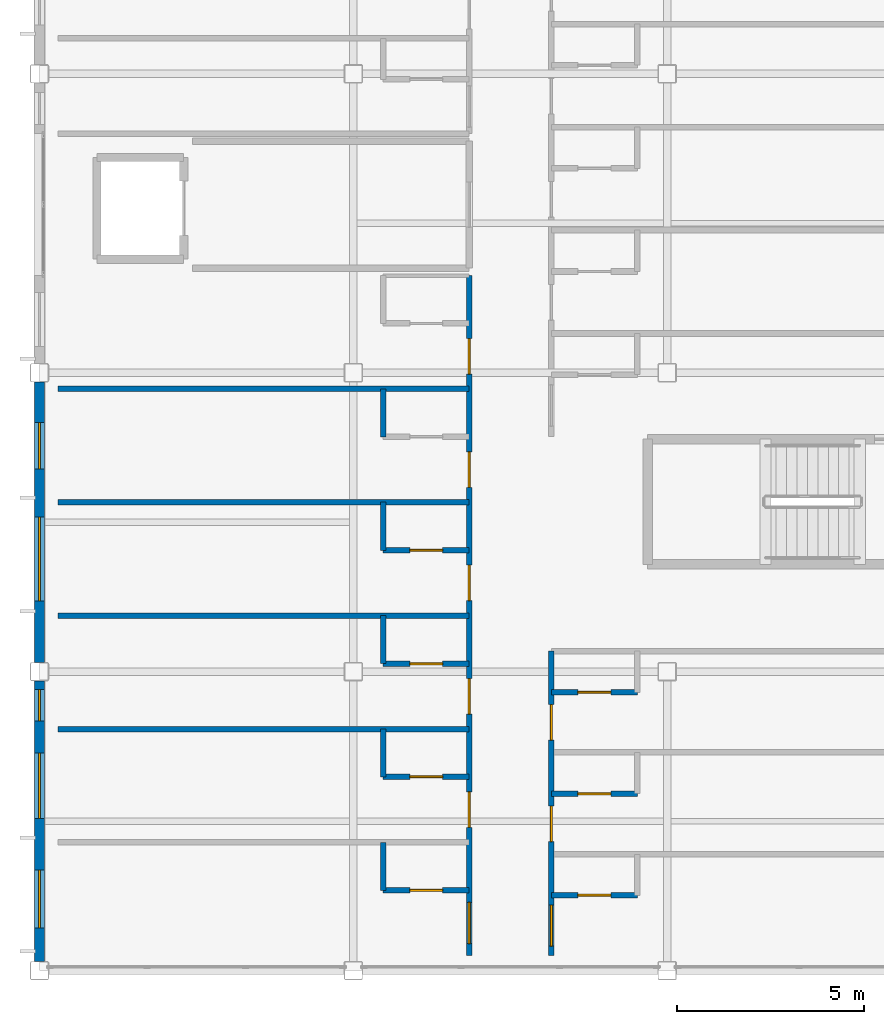
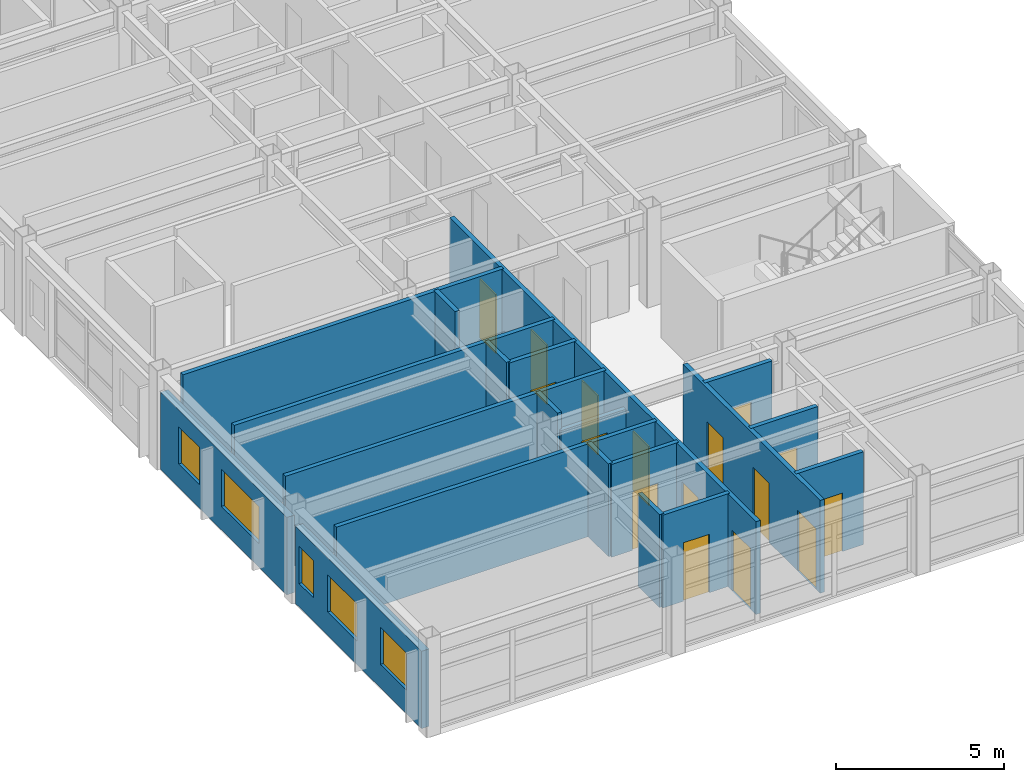
# One storey, part 23 of 35: 20 walls, 16 doors, 5 windows, 21 openings.
"""IFC4 building model written with IfcOpenShell, lengths in metres."""

from ifc_helpers import new_model, si_unit, direction, frame, frame_2d, origin, place, context, subcontext, project, spatial, rectangle, extrude, material, layer, layer_set, type_object, element, fill, save


model = new_model("IFC4")

# Units and contexts
model_context = context("Model", 3, precision=1e-05, world=origin(), true_north=direction((0.0, 1.0)))
body_context = subcontext(model_context, "Body", "Model", "MODEL_VIEW")
ifc_project = project(units=[si_unit("LENGTHUNIT", "METRE"), si_unit("AREAUNIT", "SQUARE_METRE"), si_unit("VOLUMEUNIT", "CUBIC_METRE"), si_unit("PLANEANGLEUNIT", "RADIAN"), si_unit("MASSUNIT", "GRAM", prefix="KILO")], contexts=[model_context])

# Site, building, storey
site_placement = place(None, origin())
site = spatial("IfcSite", under=ifc_project, at=site_placement, CompositionType="ELEMENT")
building_placement = place(site_placement, origin())
building = spatial("IfcBuilding", under=site, at=building_placement, Name="Kazehara Bluff Congress Hotel", CompositionType="ELEMENT")
storey_placement = place(building_placement, frame((0.0, 0.0, 35.39990234375)))
storey = spatial("IfcBuildingStorey", under=building, at=storey_placement, Name="L08", CompositionType="ELEMENT", Elevation=35.39990234375)

# Wall, openings, windows
ifc_material_1 = material(Name="Precast concrete C40/50", Category="concrete")
ifc_layer_1 = layer(ifc_material_1, 0.260009765625)
ifc_layer_set_1 = layer_set([ifc_layer_1], Name="Precast concrete C40/50")
wall_type_1 = type_object("IfcWallType", Name="TP-EW-260", PredefinedType="SOLIDWALL", material=ifc_layer_set_1)
wall_1_placement = place(storey_placement, frame((143.699951171875, 8.25, 0.0), z_axis=(0.0, 0.0, 1.0), x_axis=(0.0, 1.0, 0.0)))
wall_1 = element("IfcWall", 1, at=wall_1_placement, inside=storey, type_object=wall_type_1, Name="L08 hotel facade panel 120", PredefinedType="SOLIDWALL", context=body_context, shape_type="SweptSolid", body=[
    extrude(rectangle(XDim=7.5, YDim=0.260009765625, at=frame_2d((3.75, 0.0))), origin(), (0.0, 0.0, 1.0), 2.80517578125),
])
opening_1_placement = place(wall_1_placement, frame((0.89501953125, 0.0, 0.85009765625)))
opening_1 = element("IfcOpeningElement", 2, at=opening_1_placement, cuts=wall_1, Name="Opening WN-21", PredefinedType="OPENING", context=body_context, shape_type="SweptSolid", body=[
    extrude(rectangle(XDim=1.550048828125, YDim=1.35009765625, at=frame_2d((0.77490234375, 0.675048828125))), frame((0.0, 0.139892578125, 0.0), z_axis=(0.0, -1.0, 0.0), x_axis=(1.0, 0.0, 0.0)), (0.0, 0.0, 1.0), 0.280029296875),
])
opening_2_placement = place(wall_1_placement, frame((3.824951171875, 0.0, 0.85009765625)))
opening_2 = element("IfcOpeningElement", 3, at=opening_2_placement, cuts=wall_1, Name="Opening WN-31", PredefinedType="OPENING", context=body_context, shape_type="SweptSolid", body=[
    extrude(rectangle(XDim=1.75, YDim=1.35009765625, at=frame_2d((0.875, 0.675048828125))), frame((0.0, 0.139892578125, 0.0), z_axis=(0.0, -1.0, 0.0), x_axis=(1.0, 0.0, 0.0)), (0.0, 0.0, 1.0), 0.280029296875),
])
opening_3_placement = place(wall_1_placement, frame((6.429931640625, 0.0, 0.85009765625)))
opening_3 = element("IfcOpeningElement", 4, at=opening_3_placement, cuts=wall_1, Name="Opening WN-55", PredefinedType="OPENING", context=body_context, shape_type="SweptSolid", body=[
    extrude(rectangle(XDim=0.85009765625, YDim=1.35009765625, at=frame_2d((0.425048828125, 0.675048828125))), frame((0.0, 0.139892578125, 0.0), z_axis=(0.0, -1.0, 0.0), x_axis=(1.0, 0.0, 0.0)), (0.0, 0.0, 1.0), 0.280029296875),
])
ifc_material_2 = material(Name="Insulated low-E double glazing", Category="glass")
window_type_1 = type_object("IfcWindowType", Name="TP-WN-21", PartitioningType="SINGLE_PANEL", PredefinedType="WINDOW", material=ifc_material_2)
window_1_placement = place(opening_1_placement, origin())
window_1 = element("IfcWindow", 5, at=window_1_placement, inside=storey, type_object=window_type_1, Name="L08 guestroom window WN-21 232", OverallHeight=1.35009765625, OverallWidth=1.550048828125, PartitioningType="SINGLE_PANEL", PredefinedType="WINDOW", context=body_context, shape_type="SweptSolid", body=[
    extrude(rectangle(XDim=1.550048828125, YDim=1.35009765625, at=frame_2d((0.77490234375, 0.675048828125))), frame((0.0, 0.030029296875, 0.0), z_axis=(0.0, -1.0, 0.0), x_axis=(1.0, 0.0, 0.0)), (0.0, 0.0, 1.0), 0.06005859375),
])
fill(opening_1, window_1)
ifc_material_3 = material(Name="Insulated low-E double glazing", Category="glass")
window_type_2 = type_object("IfcWindowType", Name="TP-WN-31", PartitioningType="SINGLE_PANEL", PredefinedType="WINDOW", material=ifc_material_3)
window_2_placement = place(opening_2_placement, origin())
window_2 = element("IfcWindow", 6, at=window_2_placement, inside=storey, type_object=window_type_2, Name="L08 guestroom window WN-31 233", OverallHeight=1.35009765625, OverallWidth=1.75, PartitioningType="SINGLE_PANEL", PredefinedType="WINDOW", context=body_context, shape_type="SweptSolid", body=[
    extrude(rectangle(XDim=1.75, YDim=1.35009765625, at=frame_2d((0.875, 0.675048828125))), frame((0.0, 0.030029296875, 0.0), z_axis=(0.0, -1.0, 0.0), x_axis=(1.0, 0.0, 0.0)), (0.0, 0.0, 1.0), 0.06005859375),
])
fill(opening_2, window_2)
ifc_material_4 = material(Name="Insulated low-E double glazing", Category="glass")
window_type_3 = type_object("IfcWindowType", Name="TP-WN-55", PartitioningType="SINGLE_PANEL", PredefinedType="WINDOW", material=ifc_material_4)
window_3_placement = place(opening_3_placement, origin())
window_3 = element("IfcWindow", 7, at=window_3_placement, inside=storey, type_object=window_type_3, Name="L08 guestroom window WN-55 234", OverallHeight=1.35009765625, OverallWidth=0.85009765625, PartitioningType="SINGLE_PANEL", PredefinedType="WINDOW", context=body_context, shape_type="SweptSolid", body=[
    extrude(rectangle(XDim=0.85009765625, YDim=1.35009765625, at=frame_2d((0.425048828125, 0.675048828125))), frame((0.0, 0.030029296875, 0.0), z_axis=(0.0, -1.0, 0.0), x_axis=(1.0, 0.0, 0.0)), (0.0, 0.0, 1.0), 0.06005859375),
])
fill(opening_3, window_3)

wall_2_placement = place(storey_placement, frame((143.699951171875, 16.25, 0.0), z_axis=(0.0, 0.0, 1.0), x_axis=(0.0, 1.0, 0.0)))
wall_2 = element("IfcWall", 8, at=wall_2_placement, inside=storey, type_object=wall_type_1, Name="L08 hotel facade panel 121", PredefinedType="SOLIDWALL", context=body_context, shape_type="SweptSolid", body=[
    extrude(rectangle(XDim=7.5, YDim=0.260009765625, at=frame_2d((3.75, 0.0))), origin(), (0.0, 0.0, 1.0), 2.80517578125),
])
opening_4_placement = place(wall_2_placement, frame((1.639892578125, 0.0, 0.85009765625)))
opening_4 = element("IfcOpeningElement", 9, at=opening_4_placement, cuts=wall_2, Name="Opening WN-51", PredefinedType="OPENING", context=body_context, shape_type="SweptSolid", body=[
    extrude(rectangle(XDim=2.25, YDim=1.35009765625, at=frame_2d((1.125, 0.675048828125))), frame((0.0, 0.139892578125, 0.0), z_axis=(0.0, -1.0, 0.0), x_axis=(1.0, 0.0, 0.0)), (0.0, 0.0, 1.0), 0.280029296875),
])
opening_5_placement = place(wall_2_placement, frame((5.175048828125, 0.0, 0.85009765625)))
opening_5 = element("IfcOpeningElement", 10, at=opening_5_placement, cuts=wall_2, Name="Opening WN-06", PredefinedType="OPENING", context=body_context, shape_type="SweptSolid", body=[
    extrude(rectangle(XDim=1.25, YDim=1.35009765625, at=frame_2d((0.625, 0.675048828125))), frame((0.0, 0.139892578125, 0.0), z_axis=(0.0, -1.0, 0.0), x_axis=(1.0, 0.0, 0.0)), (0.0, 0.0, 1.0), 0.280029296875),
])
ifc_material_5 = material(Name="Insulated low-E double glazing", Category="glass")
window_type_4 = type_object("IfcWindowType", Name="TP-WN-06", PartitioningType="SINGLE_PANEL", PredefinedType="WINDOW", material=ifc_material_5)
window_4_placement = place(opening_5_placement, origin())
window_4 = element("IfcWindow", 11, at=window_4_placement, inside=storey, type_object=window_type_4, Name="L08 guestroom window WN-06 236", OverallHeight=1.35009765625, OverallWidth=1.25, PartitioningType="SINGLE_PANEL", PredefinedType="WINDOW", context=body_context, shape_type="SweptSolid", body=[
    extrude(rectangle(XDim=1.25, YDim=1.35009765625, at=frame_2d((0.625, 0.675048828125))), frame((0.0, 0.030029296875, 0.0), z_axis=(0.0, -1.0, 0.0), x_axis=(1.0, 0.0, 0.0)), (0.0, 0.0, 1.0), 0.06005859375),
])
fill(opening_5, window_4)
ifc_material_6 = material(Name="Insulated low-E double glazing", Category="glass")
window_type_5 = type_object("IfcWindowType", Name="TP-WN-51", PartitioningType="DOUBLE_PANEL_VERTICAL", PredefinedType="WINDOW", material=ifc_material_6)
window_5_placement = place(opening_4_placement, origin())
window_5 = element("IfcWindow", 12, at=window_5_placement, inside=storey, type_object=window_type_5, Name="L08 guestroom window WN-51 235", OverallHeight=1.35009765625, OverallWidth=2.25, PartitioningType="SINGLE_PANEL", PredefinedType="WINDOW", context=body_context, shape_type="SweptSolid", body=[
    extrude(rectangle(XDim=2.25, YDim=1.35009765625, at=frame_2d((1.125, 0.675048828125))), frame((0.0, 0.030029296875, 0.0), z_axis=(0.0, -1.0, 0.0), x_axis=(1.0, 0.0, 0.0)), (0.0, 0.0, 1.0), 0.06005859375),
])
fill(opening_4, window_5)

# Wall, opening, door
ifc_material_7 = material(Name="Fire-rated gypsum board stud partition")
ifc_layer_2 = layer(ifc_material_7, 0.14990234375)
ifc_layer_set_2 = layer_set([ifc_layer_2], Name="Fire-rated gypsum board stud partition")
wall_type_2 = type_object("IfcWallType", Name="TP-PT-150", PredefinedType="PARTITIONING", material=ifc_layer_set_2)
wall_3_placement = place(storey_placement, frame((157.39990234375, 10.02001953125, 0.0), z_axis=(0.0, 0.0, 1.0), x_axis=(1.0, 0.0, 0.0)))
wall_3 = element("IfcWall", 13, at=wall_3_placement, inside=storey, type_object=wall_type_2, Name="L08 partition PT-150 1011", PredefinedType="PARTITIONING", context=body_context, shape_type="SweptSolid", body=[
    extrude(rectangle(XDim=2.300048828125, YDim=0.14990234375, at=frame_2d((1.14990234375, 0.0))), origin(), (0.0, 0.0, 1.0), 3.364990234375),
])
opening_6_placement = place(wall_3_placement, frame((0.7099609375, 0.0, 0.0)))
opening_6 = element("IfcOpeningElement", 14, at=opening_6_placement, cuts=wall_3, Name="Opening BD-02", PredefinedType="OPENING", context=body_context, shape_type="SweptSolid", body=[
    extrude(rectangle(XDim=0.8798828125, YDim=2.1201171875, at=frame_2d((0.43994140625, 1.06005859375))), frame((0.0, 0.0849609375, 0.0), z_axis=(0.0, -1.0, 0.0), x_axis=(1.0, 0.0, 0.0)), (0.0, 0.0, 1.0), 0.169921875),
])
ifc_material_8 = material(Name="Architectural oak veneer leaf")
door_type_1 = type_object("IfcDoorType", Name="TP-BD-02", OperationType="NOTDEFINED", PredefinedType="DOOR", material=ifc_material_8)
door_1_placement = place(opening_6_placement, origin())
door_1 = element("IfcDoor", 15, at=door_1_placement, inside=storey, type_object=door_type_1, Name="L08 En-suite Bathroom 230 door", OperationType="SINGLE_SWING_LEFT", OverallHeight=2.1201171875, OverallWidth=0.8798828125, PredefinedType="DOOR", context=body_context, shape_type="SweptSolid", body=[
    extrude(rectangle(XDim=0.8798828125, YDim=2.1201171875, at=frame_2d((0.43994140625, 1.06005859375))), frame((0.0, 0.02490234375, 0.0), z_axis=(0.0, -1.0, 0.0), x_axis=(1.0, 0.0, 0.0)), (0.0, 0.0, 1.0), 0.050048828125),
])
fill(opening_6, door_1)

wall_4_placement = place(storey_placement, frame((152.89990234375, 10.14990234375, 0.0), z_axis=(0.0, 0.0, 1.0), x_axis=(1.0, 0.0, 0.0)))
wall_4 = element("IfcWall", 16, at=wall_4_placement, inside=storey, type_object=wall_type_2, Name="L08 partition PT-150 1012", PredefinedType="PARTITIONING", context=body_context, shape_type="SweptSolid", body=[
    extrude(rectangle(XDim=2.300048828125, YDim=0.14990234375, at=frame_2d((1.14990234375, 0.0))), origin(), (0.0, 0.0, 1.0), 3.364990234375),
])
opening_7_placement = place(wall_4_placement, frame((0.7099609375, 0.0, 0.0)))
opening_7 = element("IfcOpeningElement", 17, at=opening_7_placement, cuts=wall_4, Name="Opening BD-02", PredefinedType="OPENING", context=body_context, shape_type="SweptSolid", body=[
    extrude(rectangle(XDim=0.8798828125, YDim=2.1201171875, at=frame_2d((0.43994140625, 1.06005859375))), frame((0.0, 0.0849609375, 0.0), z_axis=(0.0, -1.0, 0.0), x_axis=(1.0, 0.0, 0.0)), (0.0, 0.0, 1.0), 0.169921875),
])
door_2_placement = place(opening_7_placement, origin())
door_2 = element("IfcDoor", 18, at=door_2_placement, inside=storey, type_object=door_type_1, Name="L08 En-suite Bathroom 209 door", OperationType="SINGLE_SWING_LEFT", OverallHeight=2.1201171875, OverallWidth=0.8798828125, PredefinedType="DOOR", context=body_context, shape_type="SweptSolid", body=[
    extrude(rectangle(XDim=0.8798828125, YDim=2.1201171875, at=frame_2d((0.43994140625, 1.06005859375))), frame((0.0, 0.02490234375, 0.0), z_axis=(0.0, -1.0, 0.0), x_axis=(1.0, 0.0, 0.0)), (0.0, 0.0, 1.0), 0.050048828125),
])
fill(opening_7, door_2)

wall_5_placement = place(storey_placement, frame((157.39990234375, 12.72998046875, 0.0), z_axis=(0.0, 0.0, 1.0), x_axis=(1.0, 0.0, 0.0)))
wall_5 = element("IfcWall", 19, at=wall_5_placement, inside=storey, type_object=wall_type_2, Name="L08 partition PT-150 1015", PredefinedType="PARTITIONING", context=body_context, shape_type="SweptSolid", body=[
    extrude(rectangle(XDim=2.300048828125, YDim=0.14990234375, at=frame_2d((1.14990234375, 0.0))), origin(), (0.0, 0.0, 1.0), 3.364990234375),
])
opening_8_placement = place(wall_5_placement, frame((0.7099609375, 0.0, 0.0)))
opening_8 = element("IfcOpeningElement", 20, at=opening_8_placement, cuts=wall_5, Name="Opening BD-02", PredefinedType="OPENING", context=body_context, shape_type="SweptSolid", body=[
    extrude(rectangle(XDim=0.8798828125, YDim=2.1201171875, at=frame_2d((0.43994140625, 1.06005859375))), frame((0.0, 0.0849609375, 0.0), z_axis=(0.0, -1.0, 0.0), x_axis=(1.0, 0.0, 0.0)), (0.0, 0.0, 1.0), 0.169921875),
])
door_3_placement = place(opening_8_placement, origin())
door_3 = element("IfcDoor", 21, at=door_3_placement, inside=storey, type_object=door_type_1, Name="L08 En-suite Bathroom 231 door", OperationType="SINGLE_SWING_LEFT", OverallHeight=2.1201171875, OverallWidth=0.8798828125, PredefinedType="DOOR", context=body_context, shape_type="SweptSolid", body=[
    extrude(rectangle(XDim=0.8798828125, YDim=2.1201171875, at=frame_2d((0.43994140625, 1.06005859375))), frame((0.0, 0.02490234375, 0.0), z_axis=(0.0, -1.0, 0.0), x_axis=(1.0, 0.0, 0.0)), (0.0, 0.0, 1.0), 0.050048828125),
])
fill(opening_8, door_3)

wall_6_placement = place(storey_placement, frame((152.89990234375, 13.18994140625, 0.0), z_axis=(0.0, 0.0, 1.0), x_axis=(1.0, 0.0, 0.0)))
wall_6 = element("IfcWall", 22, at=wall_6_placement, inside=storey, type_object=wall_type_2, Name="L08 partition PT-150 1016", PredefinedType="PARTITIONING", context=body_context, shape_type="SweptSolid", body=[
    extrude(rectangle(XDim=2.300048828125, YDim=0.14990234375, at=frame_2d((1.14990234375, 0.0))), origin(), (0.0, 0.0, 1.0), 3.364990234375),
])
opening_9_placement = place(wall_6_placement, frame((0.7099609375, 0.0, 0.0)))
opening_9 = element("IfcOpeningElement", 23, at=opening_9_placement, cuts=wall_6, Name="Opening BD-02", PredefinedType="OPENING", context=body_context, shape_type="SweptSolid", body=[
    extrude(rectangle(XDim=0.8798828125, YDim=2.1201171875, at=frame_2d((0.43994140625, 1.06005859375))), frame((0.0, 0.0849609375, 0.0), z_axis=(0.0, -1.0, 0.0), x_axis=(1.0, 0.0, 0.0)), (0.0, 0.0, 1.0), 0.169921875),
])
door_4_placement = place(opening_9_placement, origin())
door_4 = element("IfcDoor", 24, at=door_4_placement, inside=storey, type_object=door_type_1, Name="L08 En-suite Bathroom 210 door", OperationType="SINGLE_SWING_LEFT", OverallHeight=2.1201171875, OverallWidth=0.8798828125, PredefinedType="DOOR", context=body_context, shape_type="SweptSolid", body=[
    extrude(rectangle(XDim=0.8798828125, YDim=2.1201171875, at=frame_2d((0.43994140625, 1.06005859375))), frame((0.0, 0.02490234375, 0.0), z_axis=(0.0, -1.0, 0.0), x_axis=(1.0, 0.0, 0.0)), (0.0, 0.0, 1.0), 0.050048828125),
])
fill(opening_9, door_4)

# Wall
wall_7_placement = place(storey_placement, frame((144.199951171875, 14.4599609375, 0.0), z_axis=(0.0, 0.0, 1.0), x_axis=(1.0, 0.0, 0.0)))
element("IfcWall", 25, at=wall_7_placement, inside=storey, type_object=wall_type_2, Name="L08 partition PT-150 1018", PredefinedType="PARTITIONING", context=body_context, shape_type="SweptSolid", body=[
    extrude(rectangle(XDim=11.0, YDim=0.14990234375, at=frame_2d((5.5, 0.0))), origin(), (0.0, 0.0, 1.0), 3.364990234375),
])

# Wall, opening, door
wall_8_placement = place(storey_placement, frame((157.39990234375, 15.449951171875, 0.0), z_axis=(0.0, 0.0, 1.0), x_axis=(1.0, 0.0, 0.0)))
wall_8 = element("IfcWall", 26, at=wall_8_placement, inside=storey, type_object=wall_type_2, Name="L08 partition PT-150 1019", PredefinedType="PARTITIONING", context=body_context, shape_type="SweptSolid", body=[
    extrude(rectangle(XDim=2.300048828125, YDim=0.14990234375, at=frame_2d((1.14990234375, 0.0))), origin(), (0.0, 0.0, 1.0), 3.364990234375),
])
opening_10_placement = place(wall_8_placement, frame((0.7099609375, 0.0, 0.0)))
opening_10 = element("IfcOpeningElement", 27, at=opening_10_placement, cuts=wall_8, Name="Opening BD-02", PredefinedType="OPENING", context=body_context, shape_type="SweptSolid", body=[
    extrude(rectangle(XDim=0.8798828125, YDim=2.1201171875, at=frame_2d((0.43994140625, 1.06005859375))), frame((0.0, 0.0849609375, 0.0), z_axis=(0.0, -1.0, 0.0), x_axis=(1.0, 0.0, 0.0)), (0.0, 0.0, 1.0), 0.169921875),
])
door_5_placement = place(opening_10_placement, origin())
door_5 = element("IfcDoor", 28, at=door_5_placement, inside=storey, type_object=door_type_1, Name="L08 En-suite Bathroom 232 door", OperationType="SINGLE_SWING_LEFT", OverallHeight=2.1201171875, OverallWidth=0.8798828125, PredefinedType="DOOR", context=body_context, shape_type="SweptSolid", body=[
    extrude(rectangle(XDim=0.8798828125, YDim=2.1201171875, at=frame_2d((0.43994140625, 1.06005859375))), frame((0.0, 0.02490234375, 0.0), z_axis=(0.0, -1.0, 0.0), x_axis=(1.0, 0.0, 0.0)), (0.0, 0.0, 1.0), 0.050048828125),
])
fill(opening_10, door_5)

wall_9_placement = place(storey_placement, frame((152.89990234375, 16.2099609375, 0.0), z_axis=(0.0, 0.0, 1.0), x_axis=(1.0, 0.0, 0.0)))
wall_9 = element("IfcWall", 29, at=wall_9_placement, inside=storey, type_object=wall_type_2, Name="L08 partition PT-150 1020", PredefinedType="PARTITIONING", context=body_context, shape_type="SweptSolid", body=[
    extrude(rectangle(XDim=2.300048828125, YDim=0.14990234375, at=frame_2d((1.14990234375, 0.0))), origin(), (0.0, 0.0, 1.0), 2.755126953125),
])
opening_11_placement = place(wall_9_placement, frame((0.7099609375, 0.0, 0.0)))
opening_11 = element("IfcOpeningElement", 30, at=opening_11_placement, cuts=wall_9, Name="Opening BD-02", PredefinedType="OPENING", context=body_context, shape_type="SweptSolid", body=[
    extrude(rectangle(XDim=0.8798828125, YDim=2.1201171875, at=frame_2d((0.43994140625, 1.06005859375))), frame((0.0, 0.0849609375, 0.0), z_axis=(0.0, -1.0, 0.0), x_axis=(1.0, 0.0, 0.0)), (0.0, 0.0, 1.0), 0.169921875),
])
door_6_placement = place(opening_11_placement, origin())
door_6 = element("IfcDoor", 31, at=door_6_placement, inside=storey, type_object=door_type_1, Name="L08 En-suite Bathroom 211 door", OperationType="SINGLE_SWING_LEFT", OverallHeight=2.1201171875, OverallWidth=0.8798828125, PredefinedType="DOOR", context=body_context, shape_type="SweptSolid", body=[
    extrude(rectangle(XDim=0.8798828125, YDim=2.1201171875, at=frame_2d((0.43994140625, 1.06005859375))), frame((0.0, 0.02490234375, 0.0), z_axis=(0.0, -1.0, 0.0), x_axis=(1.0, 0.0, 0.0)), (0.0, 0.0, 1.0), 0.050048828125),
])
fill(opening_11, door_6)

# Wall
wall_10_placement = place(storey_placement, frame((144.199951171875, 17.5, 0.0), z_axis=(0.0, 0.0, 1.0), x_axis=(1.0, 0.0, 0.0)))
element("IfcWall", 32, at=wall_10_placement, inside=storey, type_object=wall_type_2, Name="L08 partition PT-150 1022", PredefinedType="PARTITIONING", context=body_context, shape_type="SweptSolid", body=[
    extrude(rectangle(XDim=11.0, YDim=0.14990234375, at=frame_2d((5.5, 0.0))), origin(), (0.0, 0.0, 1.0), 3.364990234375),
])

# Wall, opening, door
wall_11_placement = place(storey_placement, frame((152.89990234375, 19.25, 0.0), z_axis=(0.0, 0.0, 1.0), x_axis=(1.0, 0.0, 0.0)))
wall_11 = element("IfcWall", 33, at=wall_11_placement, inside=storey, type_object=wall_type_2, Name="L08 partition PT-150 1023", PredefinedType="PARTITIONING", context=body_context, shape_type="SweptSolid", body=[
    extrude(rectangle(XDim=2.300048828125, YDim=0.14990234375, at=frame_2d((1.14990234375, 0.0))), origin(), (0.0, 0.0, 1.0), 3.364990234375),
])
opening_12_placement = place(wall_11_placement, frame((0.7099609375, 0.0, 0.0)))
opening_12 = element("IfcOpeningElement", 34, at=opening_12_placement, cuts=wall_11, Name="Opening BD-02", PredefinedType="OPENING", context=body_context, shape_type="SweptSolid", body=[
    extrude(rectangle(XDim=0.8798828125, YDim=2.1201171875, at=frame_2d((0.43994140625, 1.06005859375))), frame((0.0, 0.0849609375, 0.0), z_axis=(0.0, -1.0, 0.0), x_axis=(1.0, 0.0, 0.0)), (0.0, 0.0, 1.0), 0.169921875),
])
door_7_placement = place(opening_12_placement, origin())
door_7 = element("IfcDoor", 35, at=door_7_placement, inside=storey, type_object=door_type_1, Name="L08 En-suite Bathroom 212 door", OperationType="SINGLE_SWING_LEFT", OverallHeight=2.1201171875, OverallWidth=0.8798828125, PredefinedType="DOOR", context=body_context, shape_type="SweptSolid", body=[
    extrude(rectangle(XDim=0.8798828125, YDim=2.1201171875, at=frame_2d((0.43994140625, 1.06005859375))), frame((0.0, 0.02490234375, 0.0), z_axis=(0.0, -1.0, 0.0), x_axis=(1.0, 0.0, 0.0)), (0.0, 0.0, 1.0), 0.050048828125),
])
fill(opening_12, door_7)

# Walls
for number, where, z_axis, x_axis, name in (
    (36, (144.199951171875, 20.5400390625, 0.0), (0.0, 0.0, 1.0), (1.0, 0.0, 0.0), "L08 partition PT-150 1024"),
    (37, (144.199951171875, 23.570068359375, 0.0), (0.0, 0.0, 1.0), (1.0, 0.0, 0.0), "L08 partition PT-150 1026"),
):
    element("IfcWall", number, at=place(storey_placement, frame(where, z_axis=z_axis, x_axis=x_axis)), inside=storey, type_object=wall_type_2, Name=name, PredefinedType="PARTITIONING", context=body_context, shape_type="SweptSolid", body=[
        extrude(rectangle(XDim=11.0, YDim=0.14990234375, at=frame_2d((5.5, 0.0))), origin(), (0.0, 0.0, 1.0), 3.364990234375),
    ])
wall_12_placement = place(storey_placement, frame((152.89990234375, 10.14990234375, 0.0), z_axis=(0.0, 0.0, 1.0), x_axis=(0.0, 1.0, 0.0)))
element("IfcWall", 38, at=wall_12_placement, inside=storey, type_object=wall_type_2, Name="L08 partition PT-150 1111", PredefinedType="PARTITIONING", context=body_context, shape_type="SweptSolid", body=[
    extrude(rectangle(XDim=1.28515625, YDim=0.14990234375, at=frame_2d((0.642578125, 0.0))), origin(), (0.0, 0.0, 1.0), 3.364990234375),
])
wall_13_placement = place(storey_placement, frame((152.89990234375, 13.18505859375, 0.0), z_axis=(0.0, 0.0, 1.0), x_axis=(0.0, 1.0, 0.0)))
element("IfcWall", 39, at=wall_13_placement, inside=storey, type_object=wall_type_2, Name="L08 partition PT-150 1112", PredefinedType="PARTITIONING", context=body_context, shape_type="SweptSolid", body=[
    extrude(rectangle(XDim=1.280029296875, YDim=0.14990234375, at=frame_2d((0.64013671875, 0.0))), origin(), (0.0, 0.0, 1.0), 3.364990234375),
])
for number, where, z_axis, x_axis, name in (
    (40, (152.89990234375, 16.215087890625, 0.0), (0.0, 0.0, 1.0), (0.0, 1.0, 0.0), "L08 partition PT-150 1113"),
    (41, (152.89990234375, 19.25, 0.0), (0.0, 0.0, 1.0), (0.0, 1.0, 0.0), "L08 partition PT-150 1114"),
):
    element("IfcWall", number, at=place(storey_placement, frame(where, z_axis=z_axis, x_axis=x_axis)), inside=storey, type_object=wall_type_2, Name=name, PredefinedType="PARTITIONING", context=body_context, shape_type="SweptSolid", body=[
        extrude(rectangle(XDim=1.284912109375, YDim=0.14990234375, at=frame_2d((0.642578125, 0.0))), origin(), (0.0, 0.0, 1.0), 3.364990234375),
    ])
wall_14_placement = place(storey_placement, frame((152.89990234375, 22.284912109375, 0.0), z_axis=(0.0, 0.0, 1.0), x_axis=(0.0, 1.0, 0.0)))
element("IfcWall", 42, at=wall_14_placement, inside=storey, type_object=wall_type_2, Name="L08 partition PT-150 1115", PredefinedType="PARTITIONING", context=body_context, shape_type="SweptSolid", body=[
    extrude(rectangle(XDim=1.280029296875, YDim=0.14990234375, at=frame_2d((0.64013671875, 0.0))), origin(), (0.0, 0.0, 1.0), 3.364990234375),
])

# Wall, openings, doors
wall_15_placement = place(storey_placement, frame((155.199951171875, 8.39990234375, 0.0), z_axis=(0.0, 0.0, 1.0), x_axis=(0.0, 1.0, 0.0)))
wall_15 = element("IfcWall", 43, at=wall_15_placement, inside=storey, type_object=wall_type_2, Name="L08 partition PT-150 1132", PredefinedType="PARTITIONING", context=body_context, shape_type="SweptSolid", body=[
    extrude(rectangle(XDim=18.2001953125, YDim=0.14990234375, at=frame_2d((9.10009765625, 0.0))), origin(), (0.0, 0.0, 1.0), 3.364990234375),
])
opening_13_placement = place(wall_15_placement, frame((0.324951171875, 0.0, 0.0)))
opening_13 = element("IfcOpeningElement", 44, at=opening_13_placement, cuts=wall_15, Name="Opening GD-02", PredefinedType="OPENING", context=body_context, shape_type="SweptSolid", body=[
    extrude(rectangle(XDim=1.10009765625, YDim=2.199951171875, at=frame_2d((0.550048828125, 1.10009765625))), frame((0.0, 0.0849609375, 0.0), z_axis=(0.0, -1.0, 0.0), x_axis=(1.0, 0.0, 0.0)), (0.0, 0.0, 1.0), 0.169921875),
])
opening_14_placement = place(wall_15_placement, frame((3.43505859375, 0.0, 0.0)))
opening_14 = element("IfcOpeningElement", 45, at=opening_14_placement, cuts=wall_15, Name="Opening GD-01", PredefinedType="OPENING", context=body_context, shape_type="SweptSolid", body=[
    extrude(rectangle(XDim=0.949951171875, YDim=2.14990234375, at=frame_2d((0.47509765625, 1.074951171875))), frame((0.0, 0.0849609375, 0.0), z_axis=(0.0, -1.0, 0.0), x_axis=(1.0, 0.0, 0.0)), (0.0, 0.0, 1.0), 0.169921875),
])
opening_15_placement = place(wall_15_placement, frame((6.465087890625, 0.0, 0.0)))
opening_15 = element("IfcOpeningElement", 46, at=opening_15_placement, cuts=wall_15, Name="Opening GD-01", PredefinedType="OPENING", context=body_context, shape_type="SweptSolid", body=[
    extrude(rectangle(XDim=0.949951171875, YDim=2.14990234375, at=frame_2d((0.47509765625, 1.074951171875))), frame((0.0, 0.0849609375, 0.0), z_axis=(0.0, -1.0, 0.0), x_axis=(1.0, 0.0, 0.0)), (0.0, 0.0, 1.0), 0.169921875),
])
opening_16_placement = place(wall_15_placement, frame((9.5, 0.0, 0.0)))
opening_16 = element("IfcOpeningElement", 47, at=opening_16_placement, cuts=wall_15, Name="Opening GD-01", PredefinedType="OPENING", context=body_context, shape_type="SweptSolid", body=[
    extrude(rectangle(XDim=0.949951171875, YDim=2.14990234375, at=frame_2d((0.47509765625, 1.074951171875))), frame((0.0, 0.0849609375, 0.0), z_axis=(0.0, -1.0, 0.0), x_axis=(1.0, 0.0, 0.0)), (0.0, 0.0, 1.0), 0.169921875),
])
opening_17_placement = place(wall_15_placement, frame((12.534912109375, 0.0, 0.0)))
opening_17 = element("IfcOpeningElement", 48, at=opening_17_placement, cuts=wall_15, Name="Opening GD-01", PredefinedType="OPENING", context=body_context, shape_type="SweptSolid", body=[
    extrude(rectangle(XDim=0.949951171875, YDim=2.14990234375, at=frame_2d((0.47509765625, 1.074951171875))), frame((0.0, 0.0849609375, 0.0), z_axis=(0.0, -1.0, 0.0), x_axis=(1.0, 0.0, 0.0)), (0.0, 0.0, 1.0), 0.169921875),
])
opening_18_placement = place(wall_15_placement, frame((15.56494140625, 0.0, 0.0)))
opening_18 = element("IfcOpeningElement", 49, at=opening_18_placement, cuts=wall_15, Name="Opening GD-01", PredefinedType="OPENING", context=body_context, shape_type="SweptSolid", body=[
    extrude(rectangle(XDim=0.949951171875, YDim=2.14990234375, at=frame_2d((0.47509765625, 1.074951171875))), frame((0.0, 0.0849609375, 0.0), z_axis=(0.0, -1.0, 0.0), x_axis=(1.0, 0.0, 0.0)), (0.0, 0.0, 1.0), 0.169921875),
])
ifc_material_9 = material(Name="Architectural oak veneer leaf")
door_type_2 = type_object("IfcDoorType", Name="TP-GD-01", OperationType="NOTDEFINED", PredefinedType="DOOR", material=ifc_material_9)
door_8_placement = place(opening_14_placement, origin())
door_8 = element("IfcDoor", 50, at=door_8_placement, inside=storey, type_object=door_type_2, Name="L08 Deluxe Twin Guest Room 210 door", OperationType="SINGLE_SWING_RIGHT", OverallHeight=2.14990234375, OverallWidth=0.949951171875, PredefinedType="DOOR", context=body_context, shape_type="SweptSolid", body=[
    extrude(rectangle(XDim=0.949951171875, YDim=2.14990234375, at=frame_2d((0.47509765625, 1.074951171875))), frame((0.0, 0.02490234375, 0.0), z_axis=(0.0, -1.0, 0.0), x_axis=(1.0, 0.0, 0.0)), (0.0, 0.0, 1.0), 0.050048828125),
])
fill(opening_14, door_8)
door_9_placement = place(opening_15_placement, origin())
door_9 = element("IfcDoor", 51, at=door_9_placement, inside=storey, type_object=door_type_2, Name="L08 Standard King Guest Room 211 door", OperationType="SINGLE_SWING_RIGHT", OverallHeight=2.14990234375, OverallWidth=0.949951171875, PredefinedType="DOOR", context=body_context, shape_type="SweptSolid", body=[
    extrude(rectangle(XDim=0.949951171875, YDim=2.14990234375, at=frame_2d((0.47509765625, 1.074951171875))), frame((0.0, 0.02490234375, 0.0), z_axis=(0.0, -1.0, 0.0), x_axis=(1.0, 0.0, 0.0)), (0.0, 0.0, 1.0), 0.050048828125),
])
fill(opening_15, door_9)
door_10_placement = place(opening_16_placement, origin())
door_10 = element("IfcDoor", 52, at=door_10_placement, inside=storey, type_object=door_type_2, Name="L08 Deluxe Twin Guest Room 212 door", OperationType="SINGLE_SWING_RIGHT", OverallHeight=2.14990234375, OverallWidth=0.949951171875, PredefinedType="DOOR", context=body_context, shape_type="SweptSolid", body=[
    extrude(rectangle(XDim=0.949951171875, YDim=2.14990234375, at=frame_2d((0.47509765625, 1.074951171875))), frame((0.0, 0.02490234375, 0.0), z_axis=(0.0, -1.0, 0.0), x_axis=(1.0, 0.0, 0.0)), (0.0, 0.0, 1.0), 0.050048828125),
])
fill(opening_16, door_10)
door_11_placement = place(opening_17_placement, origin())
door_11 = element("IfcDoor", 53, at=door_11_placement, inside=storey, type_object=door_type_2, Name="L08 Standard King Guest Room 213 door", OperationType="SINGLE_SWING_RIGHT", OverallHeight=2.14990234375, OverallWidth=0.949951171875, PredefinedType="DOOR", context=body_context, shape_type="SweptSolid", body=[
    extrude(rectangle(XDim=0.949951171875, YDim=2.14990234375, at=frame_2d((0.47509765625, 1.074951171875))), frame((0.0, 0.02490234375, 0.0), z_axis=(0.0, -1.0, 0.0), x_axis=(1.0, 0.0, 0.0)), (0.0, 0.0, 1.0), 0.050048828125),
])
fill(opening_17, door_11)
door_12_placement = place(opening_18_placement, origin())
door_12 = element("IfcDoor", 54, at=door_12_placement, inside=storey, type_object=door_type_2, Name="L08 Deluxe Twin Guest Room 214 door", OperationType="SINGLE_SWING_RIGHT", OverallHeight=2.14990234375, OverallWidth=0.949951171875, PredefinedType="DOOR", context=body_context, shape_type="SweptSolid", body=[
    extrude(rectangle(XDim=0.949951171875, YDim=2.14990234375, at=frame_2d((0.47509765625, 1.074951171875))), frame((0.0, 0.02490234375, 0.0), z_axis=(0.0, -1.0, 0.0), x_axis=(1.0, 0.0, 0.0)), (0.0, 0.0, 1.0), 0.050048828125),
])
fill(opening_18, door_12)
ifc_material_10 = material(Name="Architectural oak veneer leaf")
door_type_3 = type_object("IfcDoorType", Name="TP-GD-02", OperationType="NOTDEFINED", PredefinedType="DOOR", material=ifc_material_10)
door_13_placement = place(opening_13_placement, origin())
door_13 = element("IfcDoor", 55, at=door_13_placement, inside=storey, type_object=door_type_3, Name="L08 Accessible Suite 209 door", OperationType="SINGLE_SWING_RIGHT", OverallHeight=2.199951171875, OverallWidth=1.10009765625, PredefinedType="DOOR", context=body_context, shape_type="SweptSolid", body=[
    extrude(rectangle(XDim=1.10009765625, YDim=2.199951171875, at=frame_2d((0.550048828125, 1.10009765625))), frame((0.0, 0.02490234375, 0.0), z_axis=(0.0, -1.0, 0.0), x_axis=(1.0, 0.0, 0.0)), (0.0, 0.0, 1.0), 0.050048828125),
])
fill(opening_13, door_13)

wall_16_placement = place(storey_placement, frame((157.39990234375, 8.39990234375, 0.0), z_axis=(0.0, 0.0, 1.0), x_axis=(0.0, 1.0, 0.0)))
wall_16 = element("IfcWall", 56, at=wall_16_placement, inside=storey, type_object=wall_type_2, Name="L08 partition PT-150 1139", PredefinedType="PARTITIONING", context=body_context, shape_type="SweptSolid", body=[
    extrude(rectangle(XDim=8.150146484375, YDim=0.14990234375, at=frame_2d((4.0751953125, 0.0))), origin(), (0.0, 0.0, 1.0), 3.364990234375),
])
opening_19_placement = place(wall_16_placement, frame((0.2548828125, 0.0, 0.0)))
opening_19 = element("IfcOpeningElement", 57, at=opening_19_placement, cuts=wall_16, Name="Opening GD-02", PredefinedType="OPENING", context=body_context, shape_type="SweptSolid", body=[
    extrude(rectangle(XDim=1.10009765625, YDim=2.199951171875, at=frame_2d((0.550048828125, 1.10009765625))), frame((0.0, 0.0849609375, 0.0), z_axis=(0.0, -1.0, 0.0), x_axis=(1.0, 0.0, 0.0)), (0.0, 0.0, 1.0), 0.169921875),
])
opening_20_placement = place(wall_16_placement, frame((3.050048828125, 0.0, 0.0)))
opening_20 = element("IfcOpeningElement", 58, at=opening_20_placement, cuts=wall_16, Name="Opening GD-01", PredefinedType="OPENING", context=body_context, shape_type="SweptSolid", body=[
    extrude(rectangle(XDim=0.949951171875, YDim=2.14990234375, at=frame_2d((0.47509765625, 1.074951171875))), frame((0.0, 0.0849609375, 0.0), z_axis=(0.0, -1.0, 0.0), x_axis=(1.0, 0.0, 0.0)), (0.0, 0.0, 1.0), 0.169921875),
])
opening_21_placement = place(wall_16_placement, frame((5.77001953125, 0.0, 0.0)))
opening_21 = element("IfcOpeningElement", 59, at=opening_21_placement, cuts=wall_16, Name="Opening GD-01", PredefinedType="OPENING", context=body_context, shape_type="SweptSolid", body=[
    extrude(rectangle(XDim=0.949951171875, YDim=2.14990234375, at=frame_2d((0.47509765625, 1.074951171875))), frame((0.0, 0.0849609375, 0.0), z_axis=(0.0, -1.0, 0.0), x_axis=(1.0, 0.0, 0.0)), (0.0, 0.0, 1.0), 0.169921875),
])
door_14_placement = place(opening_20_placement, origin())
door_14 = element("IfcDoor", 60, at=door_14_placement, inside=storey, type_object=door_type_2, Name="L08 Standard King Guest Room 231 door", OperationType="SINGLE_SWING_RIGHT", OverallHeight=2.14990234375, OverallWidth=0.949951171875, PredefinedType="DOOR", context=body_context, shape_type="SweptSolid", body=[
    extrude(rectangle(XDim=0.949951171875, YDim=2.14990234375, at=frame_2d((0.47509765625, 1.074951171875))), frame((0.0, 0.02490234375, 0.0), z_axis=(0.0, -1.0, 0.0), x_axis=(1.0, 0.0, 0.0)), (0.0, 0.0, 1.0), 0.050048828125),
])
fill(opening_20, door_14)
door_15_placement = place(opening_21_placement, origin())
door_15 = element("IfcDoor", 61, at=door_15_placement, inside=storey, type_object=door_type_2, Name="L08 Deluxe Twin Guest Room 232 door", OperationType="SINGLE_SWING_RIGHT", OverallHeight=2.14990234375, OverallWidth=0.949951171875, PredefinedType="DOOR", context=body_context, shape_type="SweptSolid", body=[
    extrude(rectangle(XDim=0.949951171875, YDim=2.14990234375, at=frame_2d((0.47509765625, 1.074951171875))), frame((0.0, 0.02490234375, 0.0), z_axis=(0.0, -1.0, 0.0), x_axis=(1.0, 0.0, 0.0)), (0.0, 0.0, 1.0), 0.050048828125),
])
fill(opening_21, door_15)
door_16_placement = place(opening_19_placement, origin())
door_16 = element("IfcDoor", 62, at=door_16_placement, inside=storey, type_object=door_type_3, Name="L08 Executive Suite 230 door", OperationType="SINGLE_SWING_RIGHT", OverallHeight=2.199951171875, OverallWidth=1.10009765625, PredefinedType="DOOR", context=body_context, shape_type="SweptSolid", body=[
    extrude(rectangle(XDim=1.10009765625, YDim=2.199951171875, at=frame_2d((0.550048828125, 1.10009765625))), frame((0.0, 0.02490234375, 0.0), z_axis=(0.0, -1.0, 0.0), x_axis=(1.0, 0.0, 0.0)), (0.0, 0.0, 1.0), 0.050048828125),
])
fill(opening_19, door_16)

save(model, "model.ifc")
